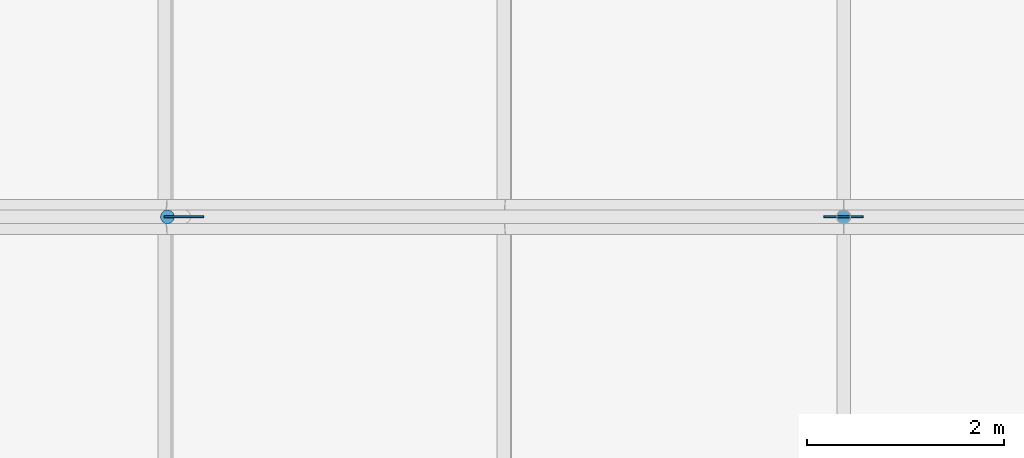
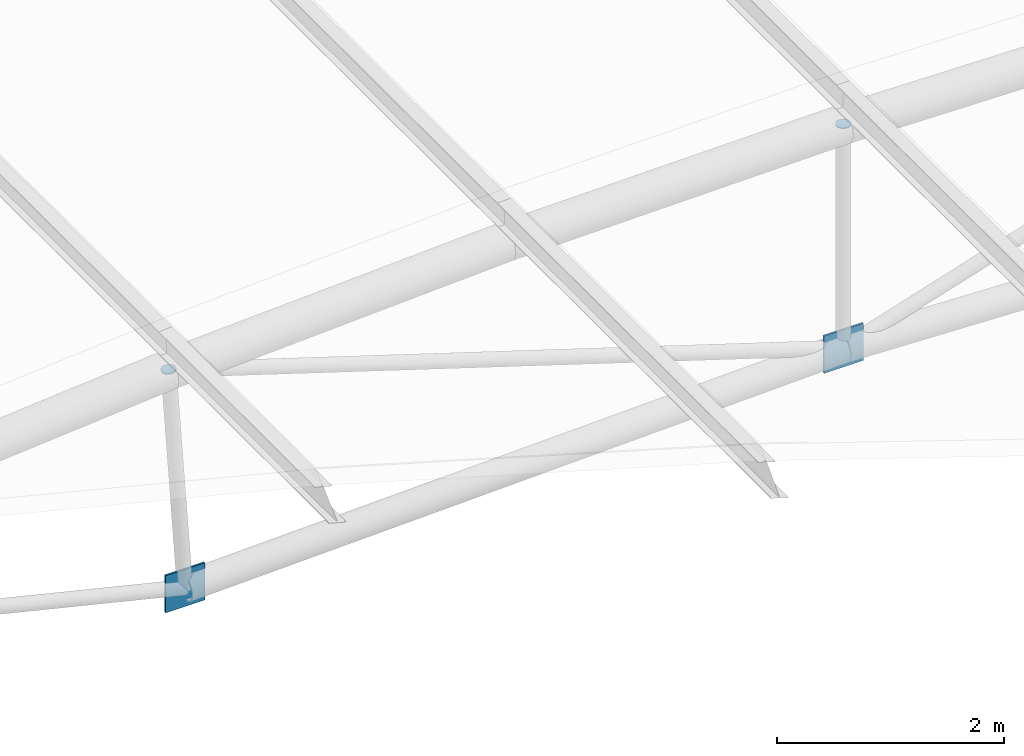
# One storey, part 69 of 91: 4 discrete accessories.
"""IFC4 building model written with IfcOpenShell, lengths in metres."""

from ifc_helpers import new_model, si_unit, direction, frame, origin, origin_2d, place, context, subcontext, project, spatial, rectangle, circle, extrude, material, material_profile, profile_set, type_object, element, save


model = new_model("IFC4")

# Units and contexts
model_context = context("Model", 3, precision=1e-05, world=origin(), true_north=direction((0.0, 1.0)))
body_context = subcontext(model_context, "Body", "Model", "MODEL_VIEW")
ifc_project = project(units=[si_unit("LENGTHUNIT", "METRE"), si_unit("AREAUNIT", "SQUARE_METRE"), si_unit("VOLUMEUNIT", "CUBIC_METRE"), si_unit("PLANEANGLEUNIT", "RADIAN"), si_unit("MASSUNIT", "GRAM", prefix="KILO")], contexts=[model_context])

# Site, building, storey
site_placement = place(None, origin())
site = spatial("IfcSite", under=ifc_project, at=site_placement, CompositionType="ELEMENT")
building_placement = place(site_placement, origin())
building = spatial("IfcBuilding", under=site, at=building_placement, Name="Ravi Spectrum Wholesale Market", CompositionType="ELEMENT")
storey_placement = place(building_placement, frame((0.0, 0.0, 16.199951171875)))
storey = spatial("IfcBuildingStorey", under=building, at=storey_placement, Name="ROOF PLANT LEVEL", CompositionType="ELEMENT", Elevation=16.199951171875)

# Discrete accessories
ifc_material_1 = material(Name="Steel S355", Category="steel")
ifc_material_profile_1 = material_profile(ifc_material_1, circle(Radius=0.06982421875, at=origin_2d()))
ifc_profile_set_1 = profile_set([ifc_material_profile_1], Name="Steel S355")
discrete_accessory_type_1 = type_object("IfcDiscreteAccessoryType", Name="End plate CHS 139.7x5", PredefinedType="BRACKET", material=ifc_profile_set_1)
for number, where, z_axis, x_axis, name in (
    (1, (63.142822265625, 138.0, 2.788818359375), (-0.081362009455, 0.0, 0.996684615823), (0.0, -1.0, 0.0), "End plate"),
    (2, (70.0, 138.0, 3.025390625), (0.0, 0.0, 1.0), (1.0, 0.0, 0.0), "End plate"),
):
    element("IfcDiscreteAccessory", number, at=place(storey_placement, frame(where, z_axis=z_axis, x_axis=x_axis)), inside=storey, type_object=discrete_accessory_type_1, Name=name, PredefinedType="BRACKET", context=body_context, shape_type="SweptSolid", body=[
        extrude(circle(Radius=0.06982421875, at=origin_2d()), origin(), (0.0, 0.0, 1.0), 0.011962890625),
    ])
ifc_material_2 = material(Name="Steel S355", Category="steel")
ifc_material_profile_2 = material_profile(ifc_material_2, rectangle(XDim=0.39990234375, YDim=0.02001953125, at=origin_2d()))
ifc_profile_set_2 = profile_set([ifc_material_profile_2], Name="Steel S355")
discrete_accessory_type_2 = type_object("IfcDiscreteAccessoryType", Name="Gusset plate 400x400x20", PredefinedType="BRACKET", material=ifc_profile_set_2)
for number, where, z_axis, x_axis, name in (
    (3, (63.30810546875, 138.0, 0.194580078125), (0.0, 0.0, 1.0), (1.0, 0.0, 0.0), "Gusset plate"),
    (4, (70.0, 138.0, 0.425537109375), (0.0, 0.0, 1.0), (1.0, 0.0, 0.0), "Gusset plate"),
):
    element("IfcDiscreteAccessory", number, at=place(storey_placement, frame(where, z_axis=z_axis, x_axis=x_axis)), inside=storey, type_object=discrete_accessory_type_2, Name=name, PredefinedType="BRACKET", context=body_context, shape_type="SweptSolid", body=[
        extrude(rectangle(XDim=0.39990234375, YDim=0.02001953125, at=origin_2d()), origin(), (0.0, 0.0, 1.0), 0.39990234375),
    ])

save(model, "model.ifc")
